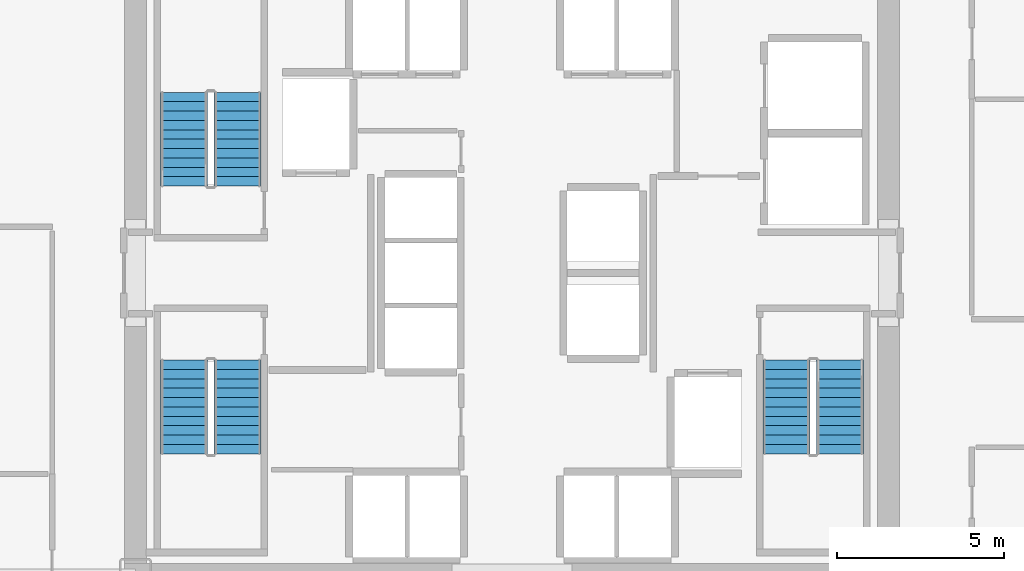
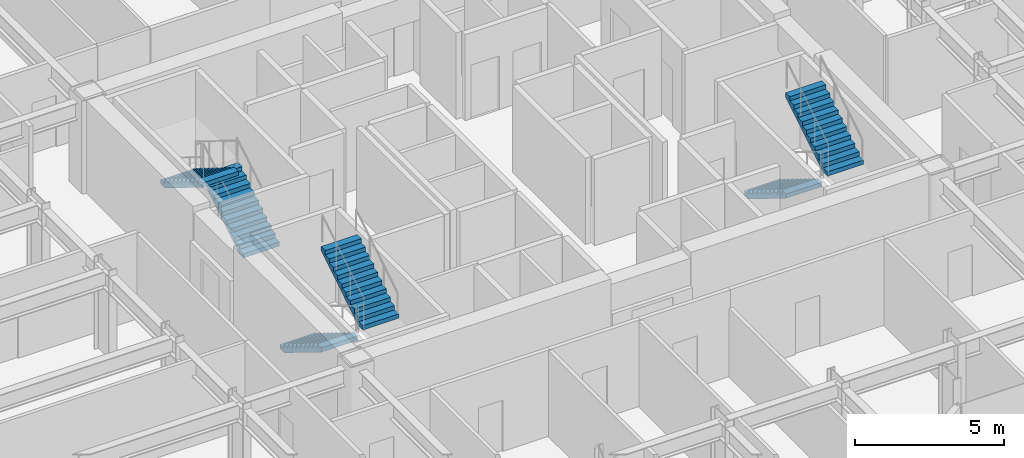
# One storey, part 25 of 26: 6 stair flights, 3 elements without a shape of their own.
"""IFC4 building model written with IfcOpenShell, lengths in metres."""

from ifc_helpers import new_model, si_unit, direction, frame, origin, place, context, subcontext, project, spatial, polyline, outline, extrude, source, transform, mapped, material, type_object, element, aggregate, save


model = new_model("IFC4")

# Units and contexts
model_context = context("Model", 3, precision=1e-05, world=origin(), true_north=direction((0.0, 1.0)))
body_context = subcontext(model_context, "Body", "Model", "MODEL_VIEW")
ifc_project = project(units=[si_unit("LENGTHUNIT", "METRE"), si_unit("AREAUNIT", "SQUARE_METRE"), si_unit("VOLUMEUNIT", "CUBIC_METRE"), si_unit("PLANEANGLEUNIT", "RADIAN"), si_unit("MASSUNIT", "GRAM", prefix="KILO")], contexts=[model_context])

# Site, building, storey
site_placement = place(None, origin())
site = spatial("IfcSite", under=ifc_project, at=site_placement, CompositionType="ELEMENT")
building_placement = place(site_placement, origin())
building = spatial("IfcBuilding", under=site, at=building_placement, Name="Nefas-Gora Pilgrimage Tower", CompositionType="ELEMENT")
storey_placement = place(building_placement, frame((0.0, 0.0, 63.39990234375)))
storey = spatial("IfcBuildingStorey", under=building, at=storey_placement, Name="L14", CompositionType="ELEMENT", Elevation=63.39990234375)

# Stair, stair flights
ifc_material = material(Name="Concrete C45/55", Category="concrete")
stair_type = type_object("IfcStairType", Name="STR-1400-R1727", PredefinedType="HALF_TURN_STAIR", material=ifc_material)
stair_1_placement = place(storey_placement, origin())
stair_1 = element("IfcStair", 1, at=stair_1_placement, inside=storey, type_object=stair_type, Name="L14 Pressurised Tower Exit Stair ST-01", PredefinedType="HALF_TURN_STAIR")
stair_flight_type = type_object("IfcStairFlightType", Name="STF-1400-R1727", PredefinedType="STRAIGHT", material=ifc_material)
shared_shape = source(origin(), body_context, "Body", "SweptSolid", [
    extrude(outline(polyline([(0.0, 0.0), (0.0, 0.172607421875), (0.280029296875, 0.172607421875), (0.280029296875, 0.345458984375), (0.56005859375, 0.345458984375), (0.56005859375, 0.51806640625), (0.840087890625, 0.51806640625), (0.840087890625, 0.69091796875), (1.1201171875, 0.69091796875), (1.1201171875, 0.863525390625), (1.39990234375, 0.863525390625), (1.39990234375, 1.036376953125), (1.679931640625, 1.036376953125), (1.679931640625, 1.208984375), (1.9599609375, 1.208984375), (1.9599609375, 1.3818359375), (2.239990234375, 1.3818359375), (2.239990234375, 1.554443359375), (2.52001953125, 1.554443359375), (2.52001953125, 1.727294921875), (2.800048828125, 1.727294921875), (2.800048828125, 1.89990234375), (2.800048828125, 1.551025390625), (0.285400390625, 0.0), (0.0, 0.0)])), frame((0.0, 0.699951171875, 0.0), z_axis=(0.0, -1.0, 0.0), x_axis=(1.0, 0.0, 0.0)), (0.0, 0.0, 1.0), 1.39990234375),
])
stair_flight_1_placement = place(storey_placement, frame((-8.199951171875, 2.60009765625, 0.0), z_axis=(0.0, 0.0, 1.0), x_axis=(0.0, 1.0, 0.0)))
stair_flight_1 = element("IfcStairFlight", 2, at=stair_flight_1_placement, type_object=stair_flight_type, Name="ST-01 flight 1", NumberOfRisers=11, NumberOfTreads=10, PredefinedType="STRAIGHT", RiserHeight=0.172727273, TreadLength=0.28, context=body_context, shape_type="MappedRepresentation", body=[
    mapped(shared_shape, transform((0.0, 0.0, 0.0), x_axis=(1.0, 0.0, 0.0), y_axis=(0.0, 1.0, 0.0), z_axis=(0.0, 0.0, 1.0), scale=1.0)),
])
stair_flight_2_placement = place(storey_placement, frame((-9.800048828125, 5.39990234375, 1.900146484375), z_axis=(0.0, 0.0, 1.0), x_axis=(0.0, -1.0, 0.0)))
stair_flight_2 = element("IfcStairFlight", 3, at=stair_flight_2_placement, type_object=stair_flight_type, Name="ST-01 flight 2", NumberOfRisers=11, NumberOfTreads=10, PredefinedType="STRAIGHT", RiserHeight=0.172727273, TreadLength=0.28, context=body_context, shape_type="MappedRepresentation", body=[
    mapped(shared_shape, transform((0.0, 0.0, 0.0), x_axis=(1.0, 0.0, 0.0), y_axis=(0.0, 1.0, 0.0), z_axis=(0.0, 0.0, 1.0), scale=1.0)),
])
aggregate(stair_1, [stair_flight_1, stair_flight_2])

stair_2_placement = place(storey_placement, origin())
stair_2 = element("IfcStair", 4, at=stair_2_placement, inside=storey, type_object=stair_type, Name="L14 Pressurised Tower Exit Stair ST-02", PredefinedType="HALF_TURN_STAIR")
stair_flight_3_placement = place(storey_placement, frame((8.199951171875, -2.60009765625, 0.0), z_axis=(0.0, 0.0, 1.0), x_axis=(0.0, -1.0, 0.0)))
stair_flight_3 = element("IfcStairFlight", 5, at=stair_flight_3_placement, type_object=stair_flight_type, Name="ST-02 flight 1", NumberOfRisers=11, NumberOfTreads=10, PredefinedType="STRAIGHT", RiserHeight=0.172727273, TreadLength=0.28, context=body_context, shape_type="MappedRepresentation", body=[
    mapped(shared_shape, transform((0.0, 0.0, 0.0), x_axis=(1.0, 0.0, 0.0), y_axis=(0.0, 1.0, 0.0), z_axis=(0.0, 0.0, 1.0), scale=1.0)),
])
stair_flight_4_placement = place(storey_placement, frame((9.800048828125, -5.39990234375, 1.900146484375), z_axis=(0.0, 0.0, 1.0), x_axis=(0.0, 1.0, 0.0)))
stair_flight_4 = element("IfcStairFlight", 6, at=stair_flight_4_placement, type_object=stair_flight_type, Name="ST-02 flight 2", NumberOfRisers=11, NumberOfTreads=10, PredefinedType="STRAIGHT", RiserHeight=0.172727273, TreadLength=0.28, context=body_context, shape_type="MappedRepresentation", body=[
    mapped(shared_shape, transform((0.0, 0.0, 0.0), x_axis=(1.0, 0.0, 0.0), y_axis=(0.0, 1.0, 0.0), z_axis=(0.0, 0.0, 1.0), scale=1.0)),
])
aggregate(stair_2, [stair_flight_3, stair_flight_4])

stair_3_placement = place(storey_placement, origin())
stair_3 = element("IfcStair", 7, at=stair_3_placement, inside=storey, type_object=stair_type, Name="L14 Pressurised Tower Exit Stair ST-03", PredefinedType="HALF_TURN_STAIR")
stair_flight_5_placement = place(storey_placement, frame((-9.800048828125, -2.60009765625, 0.0), z_axis=(0.0, 0.0, 1.0), x_axis=(0.0, -1.0, 0.0)))
stair_flight_5 = element("IfcStairFlight", 8, at=stair_flight_5_placement, type_object=stair_flight_type, Name="ST-03 flight 1", NumberOfRisers=11, NumberOfTreads=10, PredefinedType="STRAIGHT", RiserHeight=0.172727273, TreadLength=0.28, context=body_context, shape_type="MappedRepresentation", body=[
    mapped(shared_shape, transform((0.0, 0.0, 0.0), x_axis=(1.0, 0.0, 0.0), y_axis=(0.0, 1.0, 0.0), z_axis=(0.0, 0.0, 1.0), scale=1.0)),
])
stair_flight_6_placement = place(storey_placement, frame((-8.199951171875, -5.39990234375, 1.900146484375), z_axis=(0.0, 0.0, 1.0), x_axis=(0.0, 1.0, 0.0)))
stair_flight_6 = element("IfcStairFlight", 9, at=stair_flight_6_placement, type_object=stair_flight_type, Name="ST-03 flight 2", NumberOfRisers=11, NumberOfTreads=10, PredefinedType="STRAIGHT", RiserHeight=0.172727273, TreadLength=0.28, context=body_context, shape_type="MappedRepresentation", body=[
    mapped(shared_shape, transform((0.0, 0.0, 0.0), x_axis=(1.0, 0.0, 0.0), y_axis=(0.0, 1.0, 0.0), z_axis=(0.0, 0.0, 1.0), scale=1.0)),
])
aggregate(stair_3, [stair_flight_5, stair_flight_6])

save(model, "model.ifc")
